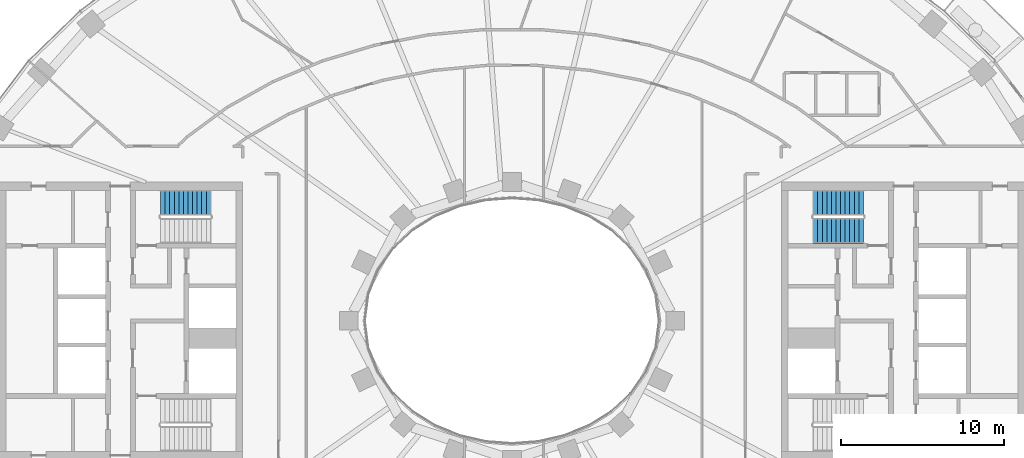
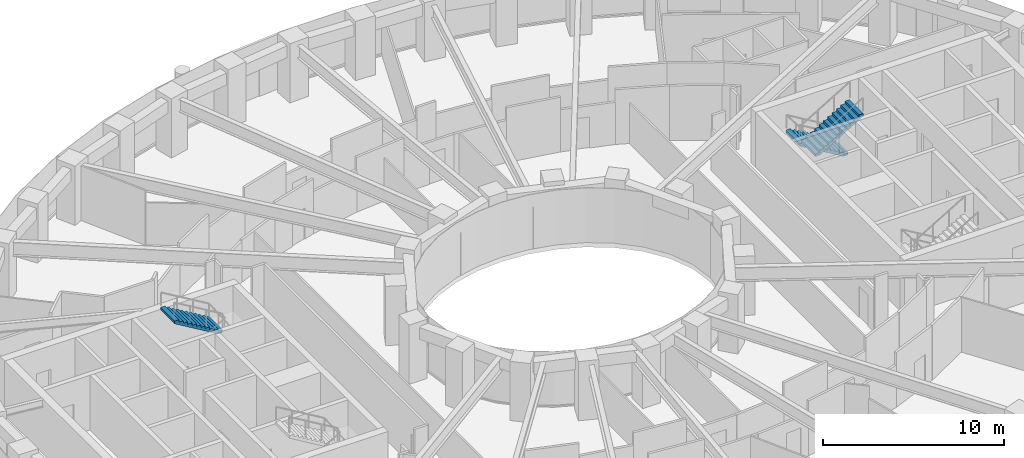
# One storey, part 8 of 17: 3 stair flights, 2 elements without a shape of their own.
"""IFC4 building model written with IfcOpenShell, lengths in metres."""

from ifc_helpers import new_model, si_unit, direction, frame, origin, place, context, subcontext, project, spatial, polyline, outline, extrude, material, type_object, element, aggregate, save


model = new_model("IFC4")

# Units and contexts
model_context = context("Model", 3, precision=1e-05, world=origin(), true_north=direction((0.0, 1.0)))
body_context = subcontext(model_context, "Body", "Model", "MODEL_VIEW")
ifc_project = project(units=[si_unit("LENGTHUNIT", "METRE"), si_unit("AREAUNIT", "SQUARE_METRE"), si_unit("VOLUMEUNIT", "CUBIC_METRE"), si_unit("PLANEANGLEUNIT", "RADIAN"), si_unit("MASSUNIT", "GRAM", prefix="KILO")], contexts=[model_context])

# Site, building, storey
site_placement = place(None, origin())
site = spatial("IfcSite", under=ifc_project, at=site_placement, CompositionType="ELEMENT")
building_placement = place(site_placement, origin())
building = spatial("IfcBuilding", under=site, at=building_placement, Name="Noorbagh Ring Tower", CompositionType="ELEMENT")
storey_placement = place(building_placement, frame((0.0, 0.0, 120.0)))
storey = spatial("IfcBuildingStorey", under=building, at=storey_placement, Name="L27", CompositionType="ELEMENT", Elevation=120.0)

# Stair, stair flight
ifc_material_1 = material(Name="Concrete C40/50", Category="concrete")
stair_type = type_object("IfcStairType", Name="CORE-STAIR", PredefinedType="HALF_TURN_STAIR", material=ifc_material_1)
stair_1_placement = place(storey_placement, origin())
stair_1 = element("IfcStair", 1, at=stair_1_placement, inside=storey, type_object=stair_type, Name="L27 Exit stair ST1", PredefinedType="HALF_TURN_STAIR")
ifc_material_2 = material(Name="Concrete C40/50", Category="concrete")
stair_flight_type = type_object("IfcStairFlightType", Name="CORE-STAIR-FLIGHT", PredefinedType="STRAIGHT", material=ifc_material_2)
stair_flight_1_placement = place(storey_placement, frame((-18.449951171875, 7.22509765625, 2.0), z_axis=(0.0, 0.0, 1.0), x_axis=(-1.0, 0.0, 0.0)))
stair_flight_1 = element("IfcStairFlight", 2, at=stair_flight_1_placement, type_object=stair_flight_type, Name="ST1 flight 2", NumberOfRisers=12, NumberOfTreads=11, PredefinedType="STRAIGHT", RiserHeight=0.166666667, TreadLength=0.28, context=body_context, shape_type="SweptSolid", body=[
    extrude(outline(polyline([(0.0, 0.0), (0.0, 0.166748046875), (0.280029296875, 0.166748046875), (0.280029296875, 0.333251953125), (0.56005859375, 0.333251953125), (0.56005859375, 0.5), (0.840087890625, 0.5), (0.840087890625, 0.666748046875), (1.1201171875, 0.666748046875), (1.1201171875, 0.833251953125), (1.39990234375, 0.833251953125), (1.39990234375, 1.0), (1.679931640625, 1.0), (1.679931640625, 1.166748046875), (1.9599609375, 1.166748046875), (1.9599609375, 1.333251953125), (2.239990234375, 1.333251953125), (2.239990234375, 1.5), (2.52001953125, 1.5), (2.52001953125, 1.666748046875), (2.800048828125, 1.666748046875), (2.800048828125, 1.833251953125), (3.080078125, 1.833251953125), (3.080078125, 2.0), (3.080078125, 1.658935546875), (0.29296875, 0.0), (0.0, 0.0)])), frame((0.0, 0.77490234375, 0.0), z_axis=(0.0, -1.0, 0.0), x_axis=(1.0, 0.0, 0.0)), (0.0, 0.0, 1.0), 1.550048828125),
])
aggregate(stair_1, [stair_flight_1])

# Stair, stair flights
stair_2_placement = place(storey_placement, origin())
stair_2 = element("IfcStair", 3, at=stair_2_placement, inside=storey, type_object=stair_type, Name="L27 Exit stair ST3", PredefinedType="HALF_TURN_STAIR")
stair_flight_2_placement = place(storey_placement, frame((21.530029296875, 7.22509765625, 0.0), z_axis=(0.0, 0.0, 1.0), x_axis=(-1.0, 0.0, 0.0)))
stair_flight_2 = element("IfcStairFlight", 4, at=stair_flight_2_placement, type_object=stair_flight_type, Name="ST3 flight 1", NumberOfRisers=12, NumberOfTreads=11, PredefinedType="STRAIGHT", RiserHeight=0.166666667, TreadLength=0.28, context=body_context, shape_type="SweptSolid", body=[
    extrude(outline(polyline([(0.0, 0.0), (0.0, 0.166748046875), (0.280029296875, 0.166748046875), (0.280029296875, 0.333251953125), (0.56005859375, 0.333251953125), (0.56005859375, 0.5), (0.840087890625, 0.5), (0.840087890625, 0.666748046875), (1.1201171875, 0.666748046875), (1.1201171875, 0.833251953125), (1.39990234375, 0.833251953125), (1.39990234375, 1.0), (1.679931640625, 1.0), (1.679931640625, 1.166748046875), (1.9599609375, 1.166748046875), (1.9599609375, 1.333251953125), (2.239990234375, 1.333251953125), (2.239990234375, 1.5), (2.52001953125, 1.5), (2.52001953125, 1.666748046875), (2.800048828125, 1.666748046875), (2.800048828125, 1.833251953125), (3.080078125, 1.833251953125), (3.080078125, 2.0), (3.080078125, 1.658935546875), (0.29296875, 0.0), (0.0, 0.0)])), frame((0.0, 0.77490234375, 0.0), z_axis=(0.0, -1.0, 0.0), x_axis=(1.0, 0.0, 0.0)), (0.0, 0.0, 1.0), 1.550048828125),
])
stair_flight_3_placement = place(storey_placement, frame((18.449951171875, 5.52490234375, 2.0), z_axis=(0.0, 0.0, 1.0), x_axis=(1.0, 0.0, 0.0)))
stair_flight_3 = element("IfcStairFlight", 5, at=stair_flight_3_placement, type_object=stair_flight_type, Name="ST3 flight 2", NumberOfRisers=12, NumberOfTreads=11, PredefinedType="STRAIGHT", RiserHeight=0.166666667, TreadLength=0.28, context=body_context, shape_type="SweptSolid", body=[
    extrude(outline(polyline([(0.0, 0.0), (0.0, 0.166748046875), (0.280029296875, 0.166748046875), (0.280029296875, 0.333251953125), (0.56005859375, 0.333251953125), (0.56005859375, 0.5), (0.840087890625, 0.5), (0.840087890625, 0.666748046875), (1.1201171875, 0.666748046875), (1.1201171875, 0.833251953125), (1.39990234375, 0.833251953125), (1.39990234375, 1.0), (1.679931640625, 1.0), (1.679931640625, 1.166748046875), (1.9599609375, 1.166748046875), (1.9599609375, 1.333251953125), (2.239990234375, 1.333251953125), (2.239990234375, 1.5), (2.52001953125, 1.5), (2.52001953125, 1.666748046875), (2.800048828125, 1.666748046875), (2.800048828125, 1.833251953125), (3.080078125, 1.833251953125), (3.080078125, 2.0), (3.080078125, 1.658935546875), (0.29296875, 0.0), (0.0, 0.0)])), frame((0.0, 0.77490234375, 0.0), z_axis=(0.0, -1.0, 0.0), x_axis=(1.0, 0.0, 0.0)), (0.0, 0.0, 1.0), 1.550048828125),
])
aggregate(stair_2, [stair_flight_2, stair_flight_3])

save(model, "model.ifc")
